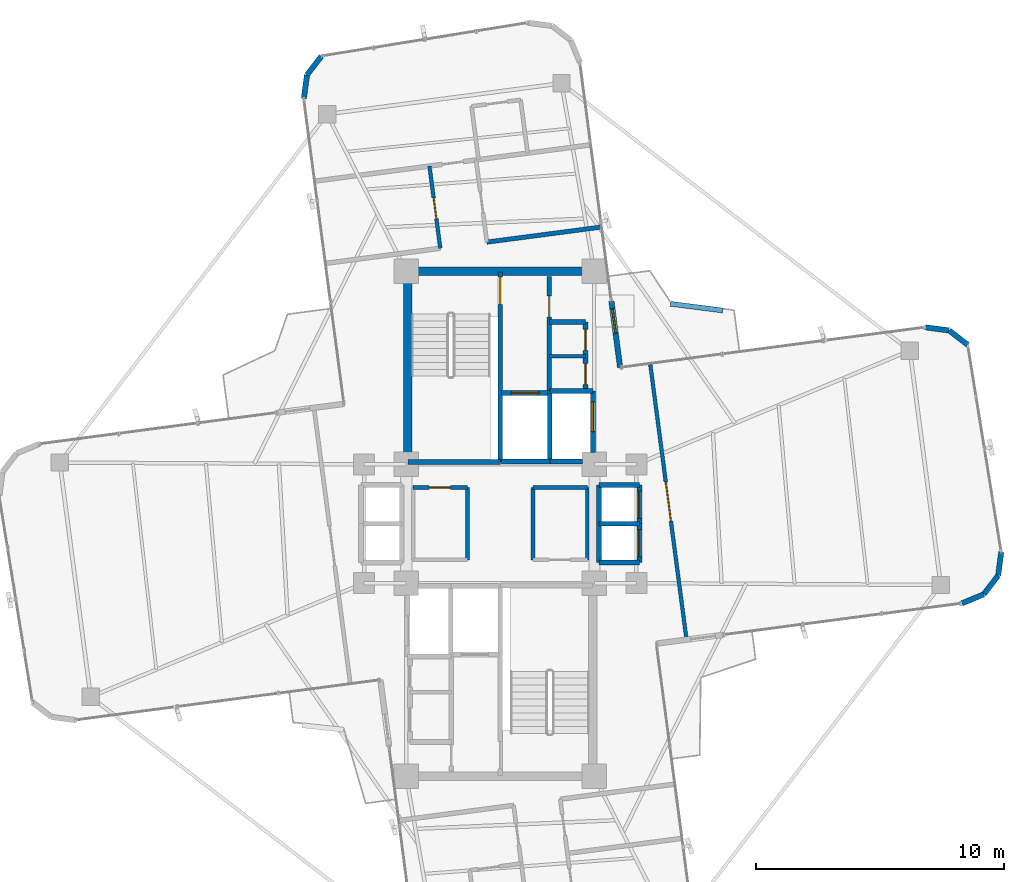
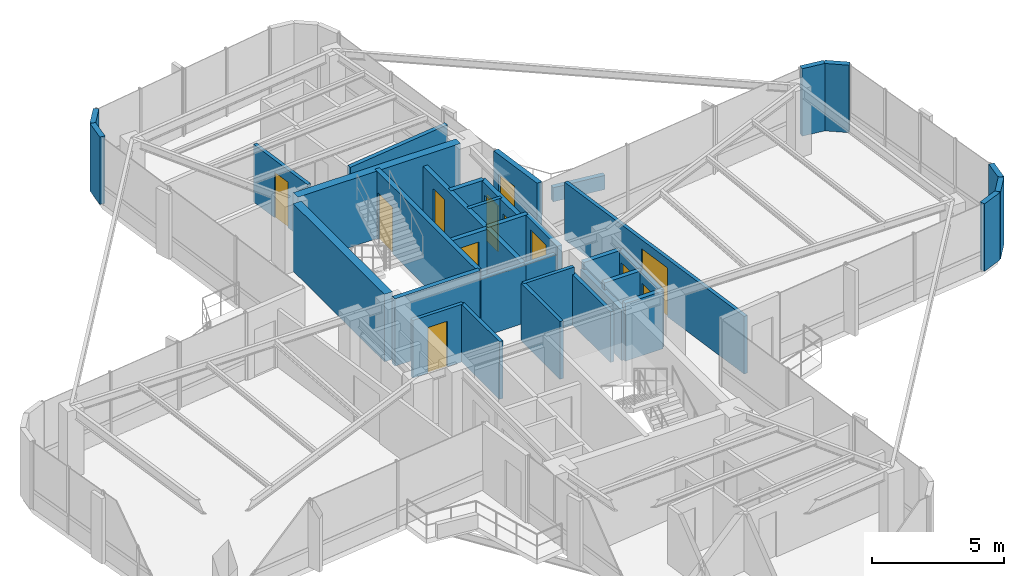
# One storey, part 20 of 22: 37 walls, 12 doors, 12 openings.
"""IFC4 building model written with IfcOpenShell, lengths in metres."""

import ifcopenshell
import ifcopenshell.guid

model = None  # the IFC model being written
_history = None  # IfcOwnerHistory: only IFC2X3 demands one
_inside = {}  # id of a spatial element -> (the spatial element, [elements in it])
_under = {}  # id of a project, library or spatial element -> (it, [spatial elements below it])
_declared = {}  # id of a project -> (the project, [libraries it declares])
_typed = {}  # id of a type object -> (the type object, [elements of that type])
_made_of = {}  # id of a material, layer set ... -> (it, [elements and type objects made of it])


def new_model(schema):
    """Start an empty IFC model of exactly this schema.

    Asked for "IFC4X3", IfcOpenShell would pick the latest addendum, in which some entities
    have other attributes; the version numbers below select the first issue.
    IFC2X3 requires an IfcOwnerHistory on every rooted entity: one is made here for all.
    """
    global model, _history
    if schema == "IFC4X3":
        model = ifcopenshell.file(schema_version=(4, 3, 0, 0))
    else:
        model = ifcopenshell.file(schema=schema)
    _inside.clear()
    _under.clear()
    _declared.clear()
    _typed.clear()
    _made_of.clear()
    _history = None
    if model.schema == "IFC2X3":
        org = make("IfcOrganization", Name="unknown")
        user = make(
            "IfcPersonAndOrganization",
            ThePerson=make("IfcPerson", FamilyName="unknown"),
            TheOrganization=org,
        )
        app = make(
            "IfcApplication",
            ApplicationDeveloper=org,
            Version="unknown",
            ApplicationFullName="unknown",
            ApplicationIdentifier="unknown",
        )
        _history = make(
            "IfcOwnerHistory",
            OwningUser=user,
            OwningApplication=app,
            ChangeAction="ADDED",
            CreationDate=0,
        )
    return model


def make(cls, **values):
    """One entity of the class cls with the attributes given. An attribute that is None is left unset."""
    return model.create_entity(
        cls, **{name: value for name, value in values.items() if value is not None}
    )


def rooted(cls, **values):
    """An entity with a GlobalId (a new one), such as an element, a storey or a relation."""
    return make(cls, GlobalId=ifcopenshell.guid.new(), OwnerHistory=_history, **values)


def si_unit(unit_type, name, prefix=None):
    """IfcSIUnit, for example si_unit("LENGTHUNIT", "METRE", prefix="MILLI")."""
    return make("IfcSIUnit", UnitType=unit_type, Prefix=prefix, Name=name)


def assignment(units):
    """IfcUnitAssignment: the units of a project."""
    return None if units is None else make("IfcUnitAssignment", Units=units)


def point(xyz):
    """IfcCartesianPoint."""
    return None if xyz is None else make("IfcCartesianPoint", Coordinates=xyz)


def direction(xyz):
    """IfcDirection."""
    return None if xyz is None else make("IfcDirection", DirectionRatios=xyz)


def frame(location, z_axis=None, x_axis=None):
    """IfcAxis2Placement3D, a coordinate frame: its origin and axes. An axis left out is left unset."""
    return make(
        "IfcAxis2Placement3D",
        Location=point(location),
        Axis=direction(z_axis),
        RefDirection=direction(x_axis),
    )


def frame_2d(location, x_axis=None):
    """IfcAxis2Placement2D, a coordinate frame in the plane: its origin and x axis."""
    return make(
        "IfcAxis2Placement2D", Location=point(location), RefDirection=direction(x_axis)
    )


def origin():
    """The frame at (0, 0, 0) with its axes left unset."""
    return frame((0.0, 0.0, 0.0))


def origin_2d():
    """The frame at (0, 0) in the plane with its x axis left unset."""
    return frame_2d((0.0, 0.0))


def place(relative_to, where):
    """IfcLocalPlacement: puts the frame where relative to a parent placement (None: the world)."""
    return make(
        "IfcLocalPlacement", PlacementRelTo=relative_to, RelativePlacement=where
    )


def context(
    kind, dimensions, precision=None, world=None, true_north=None, identifier=None
):
    """IfcGeometricRepresentationContext, for example the 3D "Model" context."""
    return make(
        "IfcGeometricRepresentationContext",
        ContextIdentifier=identifier,
        ContextType=kind,
        CoordinateSpaceDimension=dimensions,
        Precision=precision,
        WorldCoordinateSystem=world,
        TrueNorth=true_north,
    )


def subcontext(parent, identifier, kind, view, scale=None):
    """IfcGeometricRepresentationSubContext, for example "Body" below "Model"."""
    return make(
        "IfcGeometricRepresentationSubContext",
        ContextIdentifier=identifier,
        ContextType=kind,
        ParentContext=parent,
        TargetScale=scale,
        TargetView=view,
    )


def project(units=None, contexts=None):
    """IfcProject with its units and contexts."""
    return rooted(
        "IfcProject",
        Name="project",
        RepresentationContexts=contexts,
        UnitsInContext=assignment(units),
    )


def spatial(cls, under=None, at=None, **own):
    """A site, building, storey or space (cls), placed at a placement, below another one or the project."""
    s = rooted(cls, ObjectPlacement=at, **own)
    if under is not None:
        _under.setdefault(under.id(), (under, []))[1].append(s)
    return s


def profile(cls, at=None, kind="AREA", **sizes):
    """A parametric profile (cls). Its sizes go by their IFC names, for example OverallWidth=200.0."""
    return make(cls, ProfileType=kind, Position=at, **sizes)


def rectangle(**sizes):
    """IfcRectangleProfileDef."""
    return profile("IfcRectangleProfileDef", **sizes)


def extrude(swept, where, along, depth):
    """IfcExtrudedAreaSolid: the profile swept, set in the frame where, extruded along a direction by depth."""
    return make(
        "IfcExtrudedAreaSolid",
        SweptArea=swept,
        Position=where,
        ExtrudedDirection=direction(along),
        Depth=depth,
    )


def shape(context_of_items, identifier, shape_type, items):
    """IfcShapeRepresentation: the items that make up one representation, for example the "Body"."""
    return make(
        "IfcShapeRepresentation",
        ContextOfItems=context_of_items,
        RepresentationIdentifier=identifier,
        RepresentationType=shape_type,
        Items=items,
    )


def source(mapping_origin, context_of_items, identifier, shape_type, items):
    """IfcRepresentationMap: a shape defined once, which mapped items show again and again."""
    return make(
        "IfcRepresentationMap",
        MappingOrigin=mapping_origin,
        MappedRepresentation=shape(context_of_items, identifier, shape_type, items),
    )


def transform(
    local_origin,
    x_axis=None,
    y_axis=None,
    z_axis=None,
    scale=None,
    scale2=None,
    scale3=None,
    uniform=True,
):
    """IfcCartesianTransformationOperator3D, or its non-uniform kind. x_axis, y_axis, z_axis: its Axis1, 2, 3."""
    if uniform:
        return make(
            "IfcCartesianTransformationOperator3D",
            Axis1=direction(x_axis),
            Axis2=direction(y_axis),
            LocalOrigin=point(local_origin),
            Scale=scale,
            Axis3=direction(z_axis),
        )
    return make(
        "IfcCartesianTransformationOperator3DnonUniform",
        Axis1=direction(x_axis),
        Axis2=direction(y_axis),
        LocalOrigin=point(local_origin),
        Scale=scale,
        Axis3=direction(z_axis),
        Scale2=scale2,
        Scale3=scale3,
    )


def mapped(mapping_source, mapping_target):
    """IfcMappedItem: shows the shape of a source again, moved by a transform."""
    return make(
        "IfcMappedItem", MappingSource=mapping_source, MappingTarget=mapping_target
    )


def material(Name=None, Category=None):
    """IfcMaterial."""
    return make("IfcMaterial", Name=Name, Category=Category)


def layer(
    of_material, thickness, ventilated=None, Name=None, Category=None, Priority=None
):
    """IfcMaterialLayer: one layer of a wall or slab, of a material (None: an air gap)."""
    return make(
        "IfcMaterialLayer",
        Material=of_material,
        LayerThickness=thickness,
        IsVentilated=ventilated,
        Name=Name,
        Category=Category,
        Priority=Priority,
    )


def layer_set(layers, Name=None):
    """IfcMaterialLayerSet."""
    return make("IfcMaterialLayerSet", MaterialLayers=layers, LayerSetName=Name)


def made_of(thing, what):
    """Note that an element or type object is made of a material, layer set ...; save() writes the relation."""
    if what is not None:
        _made_of.setdefault(what.id(), (what, []))[1].append(thing)
    return thing


def type_object(cls, material=None, **own):
    """A type object (cls), such as IfcWallType, which elements share."""
    return made_of(rooted(cls, **own), material)


def element(
    cls,
    number,
    at=None,
    inside=None,
    cuts=None,
    type_object=None,
    material=None,
    context=None,
    identifier="Body",
    shape_type=None,
    held_by="IfcProductDefinitionShape",
    body=None,
    shapes=None,
    **own,
):
    """One element of the class cls, such as IfcWall. Its Tag is "e" and its number.

    at: its placement. inside: the storey or other place that contains it. cuts: it is an
    opening in that element (IfcRelVoidsElement). A single representation is given by context,
    identifier, shape_type and body (its items); several are given by shapes. held_by: the class
    of the entity that holds the representations. save() writes the other relations.
    """
    e = rooted(cls, Tag="e%d" % number, ObjectPlacement=at, **own)
    if body is not None:
        shapes = [shape(context, identifier, shape_type, body)]
    if shapes is not None:
        e.Representation = make(held_by, Representations=shapes)
    if inside is not None:
        _inside.setdefault(inside.id(), (inside, []))[1].append(e)
    if cuts is not None:
        rooted(
            "IfcRelVoidsElement", RelatingBuildingElement=cuts, RelatedOpeningElement=e
        )
    if type_object is not None:
        _typed.setdefault(type_object.id(), (type_object, []))[1].append(e)
    return made_of(e, material)


def fill(opening, filler):
    """IfcRelFillsElement: the door or window that sits in an opening."""
    return rooted(
        "IfcRelFillsElement",
        RelatingOpeningElement=opening,
        RelatedBuildingElement=filler,
    )


def aggregate(whole, parts):
    """IfcRelAggregates: a whole, such as a stair, and the parts it consists of."""
    return rooted("IfcRelAggregates", RelatingObject=whole, RelatedObjects=parts)


def save(model, path):
    """Write the relations noted so far, then the file.

    IfcRelAggregates (storeys below a building ...), IfcRelContainedInSpatialStructure (elements
    in a storey), IfcRelDefinesByType, IfcRelAssociatesMaterial and IfcRelDeclares: one each for
    every whole, place, type object, material and project.
    """
    for whole, parts in _under.values():
        aggregate(whole, parts)
    for where, things in _inside.values():
        rooted(
            "IfcRelContainedInSpatialStructure",
            RelatedElements=things,
            RelatingStructure=where,
        )
    for kind, things in _typed.values():
        rooted("IfcRelDefinesByType", RelatedObjects=things, RelatingType=kind)
    for what, things in _made_of.values():
        rooted("IfcRelAssociatesMaterial", RelatedObjects=things, RelatingMaterial=what)
    for by, libraries in _declared.values():
        rooted("IfcRelDeclares", RelatingContext=by, RelatedDefinitions=libraries)
    model.write(path)


model = new_model("IFC4")

# Units and contexts
model_context = context("Model", 3, precision=1e-05, world=origin(), true_north=direction((0.0, 1.0)))
body_context = subcontext(model_context, "Body", "Model", "MODEL_VIEW")
ifc_project = project(units=[si_unit("LENGTHUNIT", "METRE"), si_unit("AREAUNIT", "SQUARE_METRE"), si_unit("VOLUMEUNIT", "CUBIC_METRE"), si_unit("PLANEANGLEUNIT", "RADIAN"), si_unit("MASSUNIT", "GRAM", prefix="KILO")], contexts=[model_context])

# Site, building, storey
site_placement = place(None, origin())
site = spatial("IfcSite", under=ifc_project, at=site_placement, CompositionType="ELEMENT")
building_placement = place(site_placement, origin())
building = spatial("IfcBuilding", under=site, at=building_placement, Name="Sahyath Konkavel Grand Hotel", CompositionType="ELEMENT")
storey_placement = place(building_placement, frame((0.0, 0.0, 237.800048828125)))
storey = spatial("IfcBuildingStorey", under=building, at=storey_placement, Name="L66", CompositionType="ELEMENT", Elevation=237.800048828125)

# Walls
ifc_material_1 = material(Name="Concrete C40/50", Category="concrete")
ifc_layer_1 = layer(ifc_material_1, 0.35009765625)
ifc_layer_set_1 = layer_set([ifc_layer_1], Name="Concrete C40/50")
wall_type_1 = type_object("IfcWallType", Name="CWALL-350", PredefinedType="SHEAR", material=ifc_layer_set_1)
wall_1_placement = place(storey_placement, frame((-3.550048828125, 10.199951171875, 0.0), z_axis=(0.0, 0.0, 1.0), x_axis=(1.0, 0.0, 0.0)))
element("IfcWall", 1, at=wall_1_placement, inside=storey, type_object=wall_type_1, Name="L66 North Core Shear Wall N", PredefinedType="SHEAR", context=body_context, shape_type="SweptSolid", body=[
    extrude(rectangle(XDim=7.10009765625, YDim=0.35009765625, at=frame_2d((3.550048828125, 0.0))), origin(), (0.0, 0.0, 1.0), 3.10986328125),
])
wall_2_placement = place(storey_placement, frame((-3.739990234375, 2.85009765625, 0.0), z_axis=(0.0, 0.0, 1.0), x_axis=(0.0, 1.0, 0.0)))
element("IfcWall", 2, at=wall_2_placement, inside=storey, type_object=wall_type_1, Name="L66 North Core Shear Wall W", PredefinedType="SHEAR", context=body_context, shape_type="SweptSolid", body=[
    extrude(rectangle(XDim=6.89990234375, YDim=0.35009765625, at=frame_2d((3.449951171875, 0.0))), origin(), (0.0, 0.0, 1.0), 3.10986328125),
])
ifc_material_2 = material(Name="Warm Buff Sandstone Insulated Concrete C40/50", Category="masonry")
ifc_layer_2 = layer(ifc_material_2, 0.219970703125)
ifc_layer_set_2 = layer_set([ifc_layer_2], Name="Warm Buff Sandstone Insulated Concrete C40/50")
wall_type_2 = type_object("IfcWallType", Name="WLL-BALC-THRESH", PredefinedType="STANDARD", material=ifc_layer_set_2)
wall_3_placement = place(storey_placement, frame((18.649658203125, -3.21826171875, 0.0), z_axis=(0.0, 0.0, 1.0), x_axis=(0.923889442397, 0.382659506909, 0.0)))
element("IfcWall", 3, at=wall_3_placement, inside=storey, type_object=wall_type_2, Name="L66 Rounded Corner Sandstone Pier 1", PredefinedType="STANDARD", context=body_context, shape_type="SweptSolid", body=[
    extrude(rectangle(XDim=0.957763671875, YDim=0.219970703125, at=frame_2d((0.47900390625, 0.0))), origin(), (0.0, 0.0, 1.0), 3.10986328125),
])
wall_4_placement = place(storey_placement, frame((19.534423828125, -2.851806640625, 0.0), z_axis=(0.0, 0.0, 1.0), x_axis=(0.60861352168, 0.793466811674, 0.0)))
element("IfcWall", 4, at=wall_4_placement, inside=storey, type_object=wall_type_2, Name="L66 Rounded Corner Sandstone Pier 2", PredefinedType="STANDARD", context=body_context, shape_type="SweptSolid", body=[
    extrude(rectangle(XDim=0.95751953125, YDim=0.219970703125, at=frame_2d((0.478759765625, 0.0))), origin(), (0.0, 0.0, 1.0), 3.10986328125),
])
for number, where, z_axis, x_axis, name in (
    (5, (20.1171875, -2.092041015625, 0.0), (0.0, 0.0, 1.0), (0.130527053476, 0.991444747987, 0.0), "L66 Rounded Corner Sandstone Pier 3"),
    (6, (18.890380859375, 7.2275390625, 0.0), (0.0, 0.0, 1.0), (-0.793343685778, 0.608774010809, 0.0), "L66 Rounded Corner Sandstone Pier 5"),
    (7, (18.130615234375, 7.810546875, 0.0), (0.0, 0.0, 1.0), (-0.991444747987, 0.130527053476, 0.0), "L66 Rounded Corner Sandstone Pier 6"),
):
    element("IfcWall", number, at=place(storey_placement, frame(where, z_axis=z_axis, x_axis=x_axis)), inside=storey, type_object=wall_type_2, Name=name, PredefinedType="STANDARD", context=body_context, shape_type="SweptSolid", body=[
        extrude(rectangle(XDim=0.957763671875, YDim=0.219970703125, at=frame_2d((0.47900390625, 0.0))), origin(), (0.0, 0.0, 1.0), 3.10986328125),
    ])

# Wall, opening, door
wall_5_placement = place(storey_placement, frame((4.8427734375, 6.31103515625, 0.0), z_axis=(0.0, 0.0, 1.0), x_axis=(-0.130564442062, 0.991439824936, 0.0)))
wall_5 = element("IfcWall", 8, at=wall_5_placement, inside=storey, type_object=wall_type_2, Name="L66 Winter-Garden Threshold Wall 8", PredefinedType="STANDARD", context=body_context, shape_type="SweptSolid", body=[
    extrude(rectangle(XDim=2.7001953125, YDim=0.219970703125, at=frame_2d((1.35009765625, 0.0))), origin(), (0.0, 0.0, 1.0), 3.10986328125),
])
opening_1_placement = place(wall_5_placement, frame((1.39990234375, 0.0, 0.0)))
opening_1 = element("IfcOpeningElement", 9, at=opening_1_placement, cuts=wall_5, Name="Opening D-TR1", PredefinedType="OPENING", context=body_context, shape_type="SweptSolid", body=[
    extrude(rectangle(XDim=1.0, YDim=2.199951171875, at=frame_2d((0.5, 1.10009765625))), frame((0.0, 0.1201171875, 0.0), z_axis=(0.0, -1.0, 0.0), x_axis=(1.0, 0.0, 0.0)), (0.0, 0.0, 1.0), 0.239990234375),
])
ifc_material_3 = material(Name="Anodised Bronze Aluminium & Low-E Glazing", Category="aluminium")
door_type_1 = type_object("IfcDoorType", Name="DR-TERRACE-1000", OperationType="NOTDEFINED", PredefinedType="DOOR", material=ifc_material_3)
shared_shape_1 = source(origin(), body_context, "Body", "SweptSolid", [
    extrude(rectangle(XDim=1.0, YDim=0.050048828125, at=origin_2d()), origin(), (0.0, 0.0, 1.0), 2.199951171875),
])
door_1_placement = place(opening_1_placement, frame((0.5, 0.0, 0.0)))
door_1 = element("IfcDoor", 10, at=door_1_placement, inside=storey, type_object=door_type_1, Name="L66 Winter-Garden Terrace Door 8", OperationType="SINGLE_SWING_LEFT", OverallHeight=2.199951171875, OverallWidth=1.0, PredefinedType="DOOR", context=body_context, shape_type="MappedRepresentation", body=[
    mapped(shared_shape_1, transform((0.0, 0.0, 0.0), scale=1.0)),
])
fill(opening_1, door_1)

# Walls
for number, where, z_axis, x_axis, name in (
    (11, (-7.2275390625, 18.890380859375, 0.0), (0.0, 0.0, 1.0), (-0.608774010809, -0.793343685778, 0.0), "L66 Rounded Corner Sandstone Pier 13"),
    (12, (-7.810546875, 18.130615234375, 0.0), (0.0, 0.0, 1.0), (-0.130527053476, -0.991444747987, 0.0), "L66 Rounded Corner Sandstone Pier 14"),
):
    element("IfcWall", number, at=place(storey_placement, frame(where, z_axis=z_axis, x_axis=x_axis)), inside=storey, type_object=wall_type_2, Name=name, PredefinedType="STANDARD", context=body_context, shape_type="SweptSolid", body=[
        extrude(rectangle(XDim=0.957763671875, YDim=0.219970703125, at=frame_2d((0.47900390625, 0.0))), origin(), (0.0, 0.0, 1.0), 3.10986328125),
    ])

# Wall, opening, door
ifc_layer_3 = layer(ifc_material_1, 0.199951171875)
ifc_layer_set_3 = layer_set([ifc_layer_3], Name="Concrete C40/50")
wall_type_3 = type_object("IfcWallType", Name="WLL-CORE-200", PredefinedType="SOLIDWALL", material=ifc_layer_set_3)
wall_6_placement = place(storey_placement, frame((0.0, 2.5, 0.0), z_axis=(0.0, 0.0, 1.0), x_axis=(0.0, 1.0, 0.0)))
wall_6 = element("IfcWall", 13, at=wall_6_placement, inside=storey, type_object=wall_type_3, Name="L66 Stair ST-1 Shaft Wall E", PredefinedType="SOLIDWALL", context=body_context, shape_type="SweptSolid", body=[
    extrude(rectangle(XDim=7.679931640625, YDim=0.199951171875, at=frame_2d((3.83984375, 0.0))), origin(), (0.0, 0.0, 1.0), 3.10986328125),
])
opening_2_placement = place(wall_6_placement, frame((6.360107421875, 0.0, 0.0)))
opening_2 = element("IfcOpeningElement", 14, at=opening_2_placement, cuts=wall_6, Name="Opening D-F12B", PredefinedType="OPENING", context=body_context, shape_type="SweptSolid", body=[
    extrude(rectangle(XDim=1.10009765625, YDim=2.14990234375, at=frame_2d((0.550048828125, 1.074951171875))), frame((0.0, 0.10986328125, 0.0), z_axis=(0.0, -1.0, 0.0), x_axis=(1.0, 0.0, 0.0)), (0.0, 0.0, 1.0), 0.219970703125),
])
ifc_material_4 = material(Name="Steel E350 Smokeproof Fire Door", Category="steel")
door_type_2 = type_object("IfcDoorType", Name="DR-FD120-1100", OperationType="NOTDEFINED", PredefinedType="DOOR", material=ifc_material_4)
shared_shape_2 = source(origin(), body_context, "Body", "SweptSolid", [
    extrude(rectangle(XDim=1.10009765625, YDim=0.050048828125, at=origin_2d()), origin(), (0.0, 0.0, 1.0), 2.14990234375),
])
door_2_placement = place(opening_2_placement, frame((0.550048828125, 0.0, 0.0)))
door_2 = element("IfcDoor", 15, at=door_2_placement, inside=storey, type_object=door_type_2, Name="L66 Stair ST-1 Fire Door", OperationType="SINGLE_SWING_RIGHT", OverallHeight=2.14990234375, OverallWidth=1.10009765625, PredefinedType="DOOR", context=body_context, shape_type="MappedRepresentation", body=[
    mapped(shared_shape_2, transform((0.0, 0.0, 0.0), scale=1.0)),
])
fill(opening_2, door_2)

# Wall
wall_7_placement = place(storey_placement, frame((-3.719970703125, 2.5, 0.0), z_axis=(0.0, 0.0, 1.0), x_axis=(1.0, 0.0, 0.0)))
element("IfcWall", 16, at=wall_7_placement, inside=storey, type_object=wall_type_3, Name="L66 Stair ST-1 Shaft Wall S", PredefinedType="SOLIDWALL", context=body_context, shape_type="SweptSolid", body=[
    extrude(rectangle(XDim=3.719970703125, YDim=0.199951171875, at=frame_2d((1.85986328125, 0.0))), origin(), (0.0, 0.0, 1.0), 3.10986328125),
])

# Wall, opening, door
wall_8_placement = place(storey_placement, frame((1.97998046875, 5.320068359375, 0.0), z_axis=(0.0, 0.0, 1.0), x_axis=(0.0, 1.0, 0.0)))
wall_8 = element("IfcWall", 17, at=wall_8_placement, inside=storey, type_object=wall_type_3, Name="L66 North Firefighting Lobby Wall E", PredefinedType="SOLIDWALL", context=body_context, shape_type="SweptSolid", body=[
    extrude(rectangle(XDim=4.659912109375, YDim=0.199951171875, at=frame_2d((2.330078125, 0.0))), origin(), (0.0, 0.0, 1.0), 2.659912109375),
])
opening_3_placement = place(wall_8_placement, frame((3.0400390625, 0.0, 0.0)))
opening_3 = element("IfcOpeningElement", 18, at=opening_3_placement, cuts=wall_8, Name="Opening D-F12D", PredefinedType="OPENING", context=body_context, shape_type="SweptSolid", body=[
    extrude(rectangle(XDim=0.85009765625, YDim=2.10009765625, at=frame_2d((0.425048828125, 1.050048828125))), frame((0.0, 0.10986328125, 0.0), z_axis=(0.0, -1.0, 0.0), x_axis=(1.0, 0.0, 0.0)), (0.0, 0.0, 1.0), 0.219970703125),
])
ifc_material_5 = material(Name="Steel E350 Core Fire Door", Category="steel")
door_type_3 = type_object("IfcDoorType", Name="DR-FD120-850", OperationType="NOTDEFINED", PredefinedType="DOOR", material=ifc_material_5)
shared_shape_3 = source(origin(), body_context, "Body", "SweptSolid", [
    extrude(rectangle(XDim=0.85009765625, YDim=0.050048828125, at=origin_2d()), origin(), (0.0, 0.0, 1.0), 2.10009765625),
])
door_3_placement = place(opening_3_placement, frame((0.425048828125, 0.0, 0.0)))
door_3 = element("IfcDoor", 19, at=door_3_placement, inside=storey, type_object=door_type_3, Name="L66 North Firefighting Lobby Door", OperationType="SINGLE_SWING_RIGHT", OverallHeight=2.10009765625, OverallWidth=0.85009765625, PredefinedType="DOOR", context=body_context, shape_type="MappedRepresentation", body=[
    mapped(shared_shape_3, transform((0.0, 0.0, 0.0), scale=1.0)),
])
fill(opening_3, door_3)

# Walls
wall_9_placement = place(storey_placement, frame((2.0, 2.5, 0.0), z_axis=(0.0, 0.0, 1.0), x_axis=(0.0, 1.0, 0.0)))
element("IfcWall", 20, at=wall_9_placement, inside=storey, type_object=wall_type_3, Name="L66 Partition SH-FFL1-E", PredefinedType="SOLIDWALL", context=body_context, shape_type="SweptSolid", body=[
    extrude(rectangle(XDim=2.780029296875, YDim=0.199951171875, at=frame_2d((1.39013671875, 0.0))), origin(), (0.0, 0.0, 1.0), 2.659912109375),
])
wall_10_placement = place(storey_placement, frame((0.050048828125, 2.52001953125, 0.0), z_axis=(0.0, 0.0, 1.0), x_axis=(1.0, 0.0, 0.0)))
element("IfcWall", 21, at=wall_10_placement, inside=storey, type_object=wall_type_3, Name="L66 Partition SH-FFL1-S", PredefinedType="SOLIDWALL", context=body_context, shape_type="SweptSolid", body=[
    extrude(rectangle(XDim=1.949951171875, YDim=0.199951171875, at=frame_2d((0.97509765625, 0.0))), origin(), (0.0, 0.0, 1.0), 2.659912109375),
])

# Wall, opening, door
wall_11_placement = place(storey_placement, frame((0.050048828125, 5.280029296875, 0.0), z_axis=(0.0, 0.0, 1.0), x_axis=(1.0, 0.0, 0.0)))
wall_11 = element("IfcWall", 22, at=wall_11_placement, inside=storey, type_object=wall_type_3, Name="L66 Partition SH-FFL1-N", PredefinedType="SOLIDWALL", context=body_context, shape_type="SweptSolid", body=[
    extrude(rectangle(XDim=1.929931640625, YDim=0.199951171875, at=frame_2d((0.96484375, 0.0))), origin(), (0.0, 0.0, 1.0), 2.659912109375),
])
opening_4_placement = place(wall_11_placement, frame((0.39990234375, 0.0, 0.0)))
opening_4 = element("IfcOpeningElement", 23, at=opening_4_placement, cuts=wall_11, Name="Opening LD-11", PredefinedType="OPENING", context=body_context, shape_type="SweptSolid", body=[
    extrude(rectangle(XDim=1.10009765625, YDim=2.199951171875, at=frame_2d((0.550048828125, 1.10009765625))), frame((0.0, 0.10986328125, 0.0), z_axis=(0.0, -1.0, 0.0), x_axis=(1.0, 0.0, 0.0)), (0.0, 0.0, 1.0), 0.219970703125),
])
ifc_material_6 = material(Name="Bronze Lift Landing Door 1100")
door_type_4 = type_object("IfcDoorType", Name="DR-LIFT-1100", OperationType="DOUBLE_DOOR_SLIDING", PredefinedType="DOOR", material=ifc_material_6)
shared_shape_4 = source(origin(), body_context, "Body", "SweptSolid", [
    extrude(rectangle(XDim=1.10009765625, YDim=0.050048828125, at=origin_2d()), origin(), (0.0, 0.0, 1.0), 2.199951171875),
])
door_4_placement = place(opening_4_placement, frame((0.550048828125, 0.0, 0.0)))
door_4 = element("IfcDoor", 24, at=door_4_placement, inside=storey, type_object=door_type_4, Name="L66 Lift FFL-1 Landing Door", OperationType="DOUBLE_DOOR_SLIDING", OverallHeight=2.199951171875, OverallWidth=1.10009765625, PredefinedType="DOOR", context=body_context, shape_type="MappedRepresentation", body=[
    mapped(shared_shape_4, transform((0.0, 0.0, 0.0), scale=1.0)),
])
fill(opening_4, door_4)

# Walls
wall_12_placement = place(storey_placement, frame((2.0, 2.52001953125, 0.0), z_axis=(0.0, 0.0, 1.0), x_axis=(1.0, 0.0, 0.0)))
element("IfcWall", 25, at=wall_12_placement, inside=storey, type_object=wall_type_3, Name="L66 Partition SH-SVL1-S", PredefinedType="SOLIDWALL", context=body_context, shape_type="SweptSolid", body=[
    extrude(rectangle(XDim=1.320068359375, YDim=0.199951171875, at=frame_2d((0.66015625, 0.0))), origin(), (0.0, 0.0, 1.0), 2.659912109375),
])
wall_13_placement = place(storey_placement, frame((2.0, 5.360107421875, 0.0), z_axis=(0.0, 0.0, 1.0), x_axis=(1.0, 0.0, 0.0)))
element("IfcWall", 26, at=wall_13_placement, inside=storey, type_object=wall_type_3, Name="L66 Partition SH-SVL1-N", PredefinedType="SOLIDWALL", context=body_context, shape_type="SweptSolid", body=[
    extrude(rectangle(XDim=1.739990234375, YDim=0.199951171875, at=frame_2d((0.8701171875, 0.0))), origin(), (0.0, 0.0, 1.0), 2.659912109375),
])

# Wall, opening, door
wall_14_placement = place(storey_placement, frame((3.739990234375, 2.8798828125, 0.0), z_axis=(0.0, 0.0, 1.0), x_axis=(0.0, 1.0, 0.0)))
wall_14 = element("IfcWall", 27, at=wall_14_placement, inside=storey, type_object=wall_type_3, Name="L66 Partition SH-SVL1-E", PredefinedType="SOLIDWALL", context=body_context, shape_type="SweptSolid", body=[
    extrude(rectangle(XDim=2.480224609375, YDim=0.199951171875, at=frame_2d((1.240234375, 0.0))), origin(), (0.0, 0.0, 1.0), 2.659912109375),
])
opening_5_placement = place(wall_14_placement, frame((0.840087890625, 0.0, 0.0)))
opening_5 = element("IfcOpeningElement", 28, at=opening_5_placement, cuts=wall_14, Name="Opening LD-12", PredefinedType="OPENING", context=body_context, shape_type="SweptSolid", body=[
    extrude(rectangle(XDim=1.199951171875, YDim=2.199951171875, at=frame_2d((0.60009765625, 1.10009765625))), frame((0.0, 0.10986328125, 0.0), z_axis=(0.0, -1.0, 0.0), x_axis=(1.0, 0.0, 0.0)), (0.0, 0.0, 1.0), 0.219970703125),
])
ifc_material_7 = material(Name="Stainless Steel Lift Landing Door 1200", Category="steel")
door_type_5 = type_object("IfcDoorType", Name="DR-LIFT-1200", OperationType="DOUBLE_DOOR_SLIDING", PredefinedType="DOOR", material=ifc_material_7)
shared_shape_5 = source(origin(), body_context, "Body", "SweptSolid", [
    extrude(rectangle(XDim=1.199951171875, YDim=0.050048828125, at=origin_2d()), origin(), (0.0, 0.0, 1.0), 2.199951171875),
])
door_5_placement = place(opening_5_placement, frame((0.60009765625, 0.0, 0.0)))
door_5 = element("IfcDoor", 29, at=door_5_placement, inside=storey, type_object=door_type_5, Name="L66 Service Lift SVL-1 Landing Door", OperationType="DOUBLE_DOOR_SLIDING", OverallHeight=2.199951171875, OverallWidth=1.199951171875, PredefinedType="DOOR", context=body_context, shape_type="MappedRepresentation", body=[
    mapped(shared_shape_5, transform((0.0, 0.0, 0.0), scale=1.0)),
])
fill(opening_5, door_5)

# Walls
wall_15_placement = place(storey_placement, frame((3.97998046875, -1.56005859375, 0.0), z_axis=(0.0, 0.0, 1.0), x_axis=(0.0, 1.0, 0.0)))
element("IfcWall", 30, at=wall_15_placement, inside=storey, type_object=wall_type_3, Name="L66 Partition SH-PL56-W", PredefinedType="SOLIDWALL", context=body_context, shape_type="SweptSolid", body=[
    extrude(rectangle(XDim=3.1201171875, YDim=0.199951171875, at=frame_2d((1.56005859375, 0.0))), origin(), (0.0, 0.0, 1.0), 2.329833984375),
])
for number, where, z_axis, x_axis, name in (
    (31, (3.97998046875, 1.56005859375, 0.0), (0.0, 0.0, 1.0), (1.0, 0.0, 0.0), "L66 Partition SH-PL56-N"),
    (32, (3.97998046875, -1.56005859375, 0.0), (0.0, 0.0, 1.0), (1.0, 0.0, 0.0), "L66 Partition SH-PL56-S"),
    (33, (3.97998046875, 0.0, 0.0), (0.0, 0.0, 1.0), (1.0, 0.0, 0.0), "L66 Partition SH-PL56-M"),
):
    element("IfcWall", number, at=place(storey_placement, frame(where, z_axis=z_axis, x_axis=x_axis)), inside=storey, type_object=wall_type_3, Name=name, PredefinedType="SOLIDWALL", context=body_context, shape_type="SweptSolid", body=[
        extrude(rectangle(XDim=1.64013671875, YDim=0.199951171875, at=frame_2d((0.820068359375, 0.0))), origin(), (0.0, 0.0, 1.0), 2.659912109375),
    ])

# Wall, opening, door
wall_16_placement = place(storey_placement, frame((5.6201171875, 0.0, 0.0), z_axis=(0.0, 0.0, 1.0), x_axis=(0.0, 1.0, 0.0)))
wall_16 = element("IfcWall", 34, at=wall_16_placement, inside=storey, type_object=wall_type_3, Name="L66 Partition SH-PL5-E", PredefinedType="SOLIDWALL", context=body_context, shape_type="SweptSolid", body=[
    extrude(rectangle(XDim=1.56005859375, YDim=0.199951171875, at=frame_2d((0.780029296875, 0.0))), origin(), (0.0, 0.0, 1.0), 2.659912109375),
])
opening_6_placement = place(wall_16_placement, frame((0.219970703125, 0.0, 0.0)))
opening_6 = element("IfcOpeningElement", 35, at=opening_6_placement, cuts=wall_16, Name="Opening LD-11", PredefinedType="OPENING", context=body_context, shape_type="SweptSolid", body=[
    extrude(rectangle(XDim=1.10009765625, YDim=2.199951171875, at=frame_2d((0.550048828125, 1.10009765625))), frame((0.0, 0.10986328125, 0.0), z_axis=(0.0, -1.0, 0.0), x_axis=(1.0, 0.0, 0.0)), (0.0, 0.0, 1.0), 0.219970703125),
])
door_6_placement = place(opening_6_placement, frame((0.550048828125, 0.0, 0.0)))
door_6 = element("IfcDoor", 36, at=door_6_placement, inside=storey, type_object=door_type_4, Name="L66 High-Rise Lift PL-5 Landing Door", OperationType="DOUBLE_DOOR_SLIDING", OverallHeight=2.199951171875, OverallWidth=1.10009765625, PredefinedType="DOOR", context=body_context, shape_type="MappedRepresentation", body=[
    mapped(shared_shape_4, transform((0.0, 0.0, 0.0), scale=1.0)),
])
fill(opening_6, door_6)

wall_17_placement = place(storey_placement, frame((5.6201171875, -1.56005859375, 0.0), z_axis=(0.0, 0.0, 1.0), x_axis=(0.0, 1.0, 0.0)))
wall_17 = element("IfcWall", 37, at=wall_17_placement, inside=storey, type_object=wall_type_3, Name="L66 Partition SH-PL6-E", PredefinedType="SOLIDWALL", context=body_context, shape_type="SweptSolid", body=[
    extrude(rectangle(XDim=1.56005859375, YDim=0.199951171875, at=frame_2d((0.780029296875, 0.0))), origin(), (0.0, 0.0, 1.0), 2.659912109375),
])
opening_7_placement = place(wall_17_placement, frame((0.219970703125, 0.0, 0.0)))
opening_7 = element("IfcOpeningElement", 38, at=opening_7_placement, cuts=wall_17, Name="Opening LD-11", PredefinedType="OPENING", context=body_context, shape_type="SweptSolid", body=[
    extrude(rectangle(XDim=1.10009765625, YDim=2.199951171875, at=frame_2d((0.550048828125, 1.10009765625))), frame((0.0, 0.10986328125, 0.0), z_axis=(0.0, -1.0, 0.0), x_axis=(1.0, 0.0, 0.0)), (0.0, 0.0, 1.0), 0.219970703125),
])
door_7_placement = place(opening_7_placement, frame((0.550048828125, 0.0, 0.0)))
door_7 = element("IfcDoor", 39, at=door_7_placement, inside=storey, type_object=door_type_4, Name="L66 High-Rise Lift PL-6 Landing Door", OperationType="DOUBLE_DOOR_SLIDING", OverallHeight=2.199951171875, OverallWidth=1.10009765625, PredefinedType="DOOR", context=body_context, shape_type="MappedRepresentation", body=[
    mapped(shared_shape_4, transform((0.0, 0.0, 0.0), scale=1.0)),
])
fill(opening_7, door_7)

# Wall, openings, doors
wall_18_placement = place(storey_placement, frame((3.43994140625, 5.3798828125, 0.0), z_axis=(0.0, 0.0, 1.0), x_axis=(0.0, 1.0, 0.0)))
wall_18 = element("IfcWall", 40, at=wall_18_placement, inside=storey, type_object=wall_type_3, Name="L66 Reclaimed North Core Wall E", PredefinedType="SOLIDWALL", context=body_context, shape_type="SweptSolid", body=[
    extrude(rectangle(XDim=2.77001953125, YDim=0.199951171875, at=frame_2d((1.385009765625, 0.0))), origin(), (0.0, 0.0, 1.0), 2.659912109375),
])
opening_8_placement = place(wall_18_placement, frame((0.239990234375, 0.0, 0.0)))
opening_8 = element("IfcOpeningElement", 41, at=opening_8_placement, cuts=wall_18, Name="Opening D-F06D", PredefinedType="OPENING", context=body_context, shape_type="SweptSolid", body=[
    extrude(rectangle(XDim=0.85009765625, YDim=2.10009765625, at=frame_2d((0.425048828125, 1.050048828125))), frame((0.0, 0.10986328125, 0.0), z_axis=(0.0, -1.0, 0.0), x_axis=(1.0, 0.0, 0.0)), (0.0, 0.0, 1.0), 0.219970703125),
])
opening_9_placement = place(wall_18_placement, frame((1.6201171875, 0.0, 0.0)))
opening_9 = element("IfcOpeningElement", 42, at=opening_9_placement, cuts=wall_18, Name="Opening D-F06D", PredefinedType="OPENING", context=body_context, shape_type="SweptSolid", body=[
    extrude(rectangle(XDim=0.85009765625, YDim=2.10009765625, at=frame_2d((0.425048828125, 1.050048828125))), frame((0.0, 0.10986328125, 0.0), z_axis=(0.0, -1.0, 0.0), x_axis=(1.0, 0.0, 0.0)), (0.0, 0.0, 1.0), 0.219970703125),
])
ifc_material_8 = material(Name="Fire-Rated Shaft Access Door")
door_type_6 = type_object("IfcDoorType", Name="DR-FD60-850", OperationType="NOTDEFINED", PredefinedType="DOOR", material=ifc_material_8)
door_8_placement = place(opening_8_placement, frame((0.425048828125, 0.0, 0.0)))
door_8 = element("IfcDoor", 43, at=door_8_placement, inside=storey, type_object=door_type_6, Name="L66 Door NC-REC1-D", OperationType="SINGLE_SWING_RIGHT", OverallHeight=2.10009765625, OverallWidth=0.85009765625, PredefinedType="DOOR", context=body_context, shape_type="MappedRepresentation", body=[
    mapped(shared_shape_3, transform((0.0, 0.0, 0.0), scale=1.0)),
])
fill(opening_8, door_8)
door_9_placement = place(opening_9_placement, frame((0.425048828125, 0.0, 0.0)))
door_9 = element("IfcDoor", 44, at=door_9_placement, inside=storey, type_object=door_type_6, Name="L66 Door NC-REC2-D", OperationType="SINGLE_SWING_LEFT", OverallHeight=2.10009765625, OverallWidth=0.85009765625, PredefinedType="DOOR", context=body_context, shape_type="MappedRepresentation", body=[
    mapped(shared_shape_3, transform((0.0, 0.0, 0.0), scale=1.0)),
])
fill(opening_9, door_9)

# Walls
wall_19_placement = place(storey_placement, frame((1.97998046875, 8.14990234375, 0.0), z_axis=(0.0, 0.0, 1.0), x_axis=(1.0, 0.0, 0.0)))
element("IfcWall", 45, at=wall_19_placement, inside=storey, type_object=wall_type_3, Name="L66 Partition NC-REC-N", PredefinedType="SOLIDWALL", context=body_context, shape_type="SweptSolid", body=[
    extrude(rectangle(XDim=1.4599609375, YDim=0.199951171875, at=frame_2d((0.72998046875, 0.0))), origin(), (0.0, 0.0, 1.0), 2.659912109375),
])
ifc_material_9 = material(Name="Twin-Stud Acoustic Gypsum Plasterboard Partition")
ifc_layer_4 = layer(ifc_material_9, 0.179931640625)
ifc_layer_set_4 = layer_set([ifc_layer_4], Name="Twin-Stud Acoustic Gypsum Plasterboard Partition")
wall_type_4 = type_object("IfcWallType", Name="WLL-DEMISE-180", PredefinedType="PARTITIONING", material=ifc_layer_set_4)
wall_20_placement = place(storey_placement, frame((4.0458984375, 11.980712890625, 0.0), z_axis=(0.0, 0.0, 1.0), x_axis=(-0.991442792852, -0.130541903244, 0.0)))
element("IfcWall", 46, at=wall_20_placement, inside=storey, type_object=wall_type_4, Name="L66 Partition N-INR", PredefinedType="PARTITIONING", context=body_context, shape_type="SweptSolid", body=[
    extrude(rectangle(XDim=4.625, YDim=0.179931640625, at=frame_2d((2.3125, 0.0))), origin(), (0.0, 0.0, 1.0), 2.659912109375),
])
ifc_material_10 = material(Name="Fire-Rated Gypsum Plasterboard Partition")
ifc_layer_5 = layer(ifc_material_10, 0.14990234375)
ifc_layer_set_5 = layer_set([ifc_layer_5], Name="Fire-Rated Gypsum Plasterboard Partition")
wall_type_5 = type_object("IfcWallType", Name="WLL-PART-150", PredefinedType="PARTITIONING", material=ifc_layer_set_5)
wall_21_placement = place(storey_placement, frame((1.97998046875, 6.77001953125, 0.0), z_axis=(0.0, 0.0, 1.0), x_axis=(1.0, 0.0, 0.0)))
element("IfcWall", 47, at=wall_21_placement, inside=storey, type_object=wall_type_5, Name="L66 Partition NC-REC-M1", PredefinedType="PARTITIONING", context=body_context, shape_type="SweptSolid", body=[
    extrude(rectangle(XDim=1.4599609375, YDim=0.14990234375, at=frame_2d((0.72998046875, 0.0))), origin(), (0.0, 0.0, 1.0), 2.659912109375),
])
wall_22_placement = place(storey_placement, frame((-1.320068359375, -1.4599609375, 0.0), z_axis=(0.0, 0.0, 1.0), x_axis=(0.0, 1.0, 0.0)))
element("IfcWall", 48, at=wall_22_placement, inside=storey, type_object=wall_type_5, Name="L66 Partition CC-1WI", PredefinedType="PARTITIONING", context=body_context, shape_type="SweptSolid", body=[
    extrude(rectangle(XDim=2.919921875, YDim=0.14990234375, at=frame_2d((1.4599609375, 0.0))), origin(), (0.0, 0.0, 1.0), 2.659912109375),
])

# Wall, opening, door
wall_23_placement = place(storey_placement, frame((-3.52001953125, 1.4599609375, 0.0), z_axis=(0.0, 0.0, 1.0), x_axis=(1.0, 0.0, 0.0)))
wall_23 = element("IfcWall", 49, at=wall_23_placement, inside=storey, type_object=wall_type_5, Name="L66 Partition CC-1WN", PredefinedType="PARTITIONING", context=body_context, shape_type="SweptSolid", body=[
    extrude(rectangle(XDim=2.199951171875, YDim=0.14990234375, at=frame_2d((1.10009765625, 0.0))), origin(), (0.0, 0.0, 1.0), 2.659912109375),
])
opening_10_placement = place(wall_23_placement, frame((0.64990234375, 0.0, 0.0)))
opening_10 = element("IfcOpeningElement", 50, at=opening_10_placement, cuts=wall_23, Name="Opening D-F06D", PredefinedType="OPENING", context=body_context, shape_type="SweptSolid", body=[
    extrude(rectangle(XDim=0.85009765625, YDim=2.10009765625, at=frame_2d((0.425048828125, 1.050048828125))), frame((0.0, 0.0849609375, 0.0), z_axis=(0.0, -1.0, 0.0), x_axis=(1.0, 0.0, 0.0)), (0.0, 0.0, 1.0), 0.169921875),
])
door_10_placement = place(opening_10_placement, frame((0.425048828125, 0.0, 0.0)))
door_10 = element("IfcDoor", 51, at=door_10_placement, inside=storey, type_object=door_type_6, Name="L66 Door CC-D1W", OperationType="SINGLE_SWING_RIGHT", OverallHeight=2.10009765625, OverallWidth=0.85009765625, PredefinedType="DOOR", context=body_context, shape_type="MappedRepresentation", body=[
    mapped(shared_shape_3, transform((0.0, 0.0, 0.0), scale=1.0)),
])
fill(opening_10, door_10)

# Walls
wall_24_placement = place(storey_placement, frame((1.320068359375, -1.4599609375, 0.0), z_axis=(0.0, 0.0, 1.0), x_axis=(0.0, 1.0, 0.0)))
element("IfcWall", 52, at=wall_24_placement, inside=storey, type_object=wall_type_5, Name="L66 Partition CC-1EI", PredefinedType="PARTITIONING", context=body_context, shape_type="SweptSolid", body=[
    extrude(rectangle(XDim=2.919921875, YDim=0.14990234375, at=frame_2d((1.4599609375, 0.0))), origin(), (0.0, 0.0, 1.0), 2.659912109375),
])
wall_25_placement = place(storey_placement, frame((3.52001953125, -1.4599609375, 0.0), z_axis=(0.0, 0.0, 1.0), x_axis=(0.0, 1.0, 0.0)))
element("IfcWall", 53, at=wall_25_placement, inside=storey, type_object=wall_type_5, Name="L66 Partition CC-1EO", PredefinedType="PARTITIONING", context=body_context, shape_type="SweptSolid", body=[
    extrude(rectangle(XDim=2.919921875, YDim=0.14990234375, at=frame_2d((1.4599609375, 0.0))), origin(), (0.0, 0.0, 1.0), 2.329833984375),
])
wall_26_placement = place(storey_placement, frame((1.320068359375, 1.4599609375, 0.0), z_axis=(0.0, 0.0, 1.0), x_axis=(1.0, 0.0, 0.0)))
element("IfcWall", 54, at=wall_26_placement, inside=storey, type_object=wall_type_5, Name="L66 Partition CC-1EN", PredefinedType="PARTITIONING", context=body_context, shape_type="SweptSolid", body=[
    extrude(rectangle(XDim=2.199951171875, YDim=0.14990234375, at=frame_2d((1.10009765625, 0.0))), origin(), (0.0, 0.0, 1.0), 2.659912109375),
])

# Wall, opening, door
wall_27_placement = place(storey_placement, frame((7.51904296875, -4.63330078125, 0.0), z_axis=(0.0, 0.0, 1.0), x_axis=(-0.130521347626, 0.991445499165, 0.0)))
wall_27 = element("IfcWall", 55, at=wall_27_placement, inside=storey, type_object=wall_type_5, Name="L66 Partition E-SAL-IN", PredefinedType="PARTITIONING", context=body_context, shape_type="SweptSolid", body=[
    extrude(rectangle(XDim=11.150146484375, YDim=0.14990234375, at=frame_2d((5.5751953125, 0.0))), origin(), (0.0, 0.0, 1.0), 2.659912109375),
])
opening_11_placement = place(wall_27_placement, frame((4.77490234375, 0.0, 0.0)))
opening_11 = element("IfcOpeningElement", 56, at=opening_11_placement, cuts=wall_27, Name="Opening D-DB16", PredefinedType="OPENING", context=body_context, shape_type="SweptSolid", body=[
    extrude(rectangle(XDim=1.60009765625, YDim=2.25, at=frame_2d((0.800048828125, 1.125))), frame((0.0, 0.0849609375, 0.0), z_axis=(0.0, -1.0, 0.0), x_axis=(1.0, 0.0, 0.0)), (0.0, 0.0, 1.0), 0.169921875),
])
ifc_material_11 = material(Name="Double Leaf Lounge Glazed Timber Door", Category="wood")
door_type_7 = type_object("IfcDoorType", Name="DR-DBL-1600", OperationType="DOUBLE_DOOR_SINGLE_SWING", PredefinedType="DOOR", material=ifc_material_11)
shared_shape_6 = source(origin(), body_context, "Body", "SweptSolid", [
    extrude(rectangle(XDim=1.60009765625, YDim=0.050048828125, at=origin_2d()), origin(), (0.0, 0.0, 1.0), 2.25),
])
door_11_placement = place(opening_11_placement, frame((0.800048828125, 0.0, 0.0)))
door_11 = element("IfcDoor", 57, at=door_11_placement, inside=storey, type_object=door_type_7, Name="L66 Door E-SAL-D", OperationType="DOUBLE_DOOR_SINGLE_SWING", OverallHeight=2.25, OverallWidth=1.60009765625, PredefinedType="DOOR", context=body_context, shape_type="MappedRepresentation", body=[
    mapped(shared_shape_6, transform((0.0, 0.0, 0.0), scale=1.0)),
])
fill(opening_11, door_11)

wall_28_placement = place(storey_placement, frame((-2.42333984375, 11.12890625, 0.0), z_axis=(0.0, 0.0, 1.0), x_axis=(-0.130526150873, 0.991444866817, 0.0)))
wall_28 = element("IfcWall", 58, at=wall_28_placement, inside=storey, type_object=wall_type_5, Name="L66 Partition N-CL", PredefinedType="PARTITIONING", context=body_context, shape_type="SweptSolid", body=[
    extrude(rectangle(XDim=3.349853515625, YDim=0.14990234375, at=frame_2d((1.6748046875, 0.0))), origin(), (0.0, 0.0, 1.0), 2.659912109375),
])
opening_12_placement = place(wall_28_placement, frame((1.199951171875, 0.0, 0.0)))
opening_12 = element("IfcOpeningElement", 59, at=opening_12_placement, cuts=wall_28, Name="Opening D-F06D", PredefinedType="OPENING", context=body_context, shape_type="SweptSolid", body=[
    extrude(rectangle(XDim=0.85009765625, YDim=2.10009765625, at=frame_2d((0.425048828125, 1.050048828125))), frame((0.0, 0.0849609375, 0.0), z_axis=(0.0, -1.0, 0.0), x_axis=(1.0, 0.0, 0.0)), (0.0, 0.0, 1.0), 0.169921875),
])
door_12_placement = place(opening_12_placement, frame((0.425048828125, 0.0, 0.0)))
door_12 = element("IfcDoor", 60, at=door_12_placement, inside=storey, type_object=door_type_6, Name="L66 Door N-NS3L-D", OperationType="SINGLE_SWING_RIGHT", OverallHeight=2.10009765625, OverallWidth=0.85009765625, PredefinedType="DOOR", context=body_context, shape_type="MappedRepresentation", body=[
    mapped(shared_shape_3, transform((0.0, 0.0, 0.0), scale=1.0)),
])
fill(opening_12, door_12)

# Wall
ifc_material_12 = material(Name="Warm Buff Sandstone Planter Wall", Category="masonry")
ifc_layer_6 = layer(ifc_material_12, 0.199951171875)
ifc_layer_set_6 = layer_set([ifc_layer_6], Name="Warm Buff Sandstone Planter Wall")
wall_type_6 = type_object("IfcWallType", Name="WLL-PLANTER-200", PredefinedType="PARAPET", material=ifc_layer_set_6)
wall_29_placement = place(storey_placement, frame((8.98779296875, 8.614501953125, 0.0), z_axis=(0.0, 0.0, 1.0), x_axis=(-0.991889831907, 0.12710059543, 0.0)))
element("IfcWall", 61, at=wall_29_placement, inside=storey, type_object=wall_type_6, Name="L66 Sky-Garden Stone Planter PLANTER NE", PredefinedType="PARAPET", context=body_context, shape_type="SweptSolid", body=[
    extrude(rectangle(XDim=2.12646484375, YDim=0.199951171875, at=frame_2d((1.063232421875, 0.0))), origin(), (0.0, 0.0, 1.0), 0.64990234375),
])

save(model, "model.ifc")
